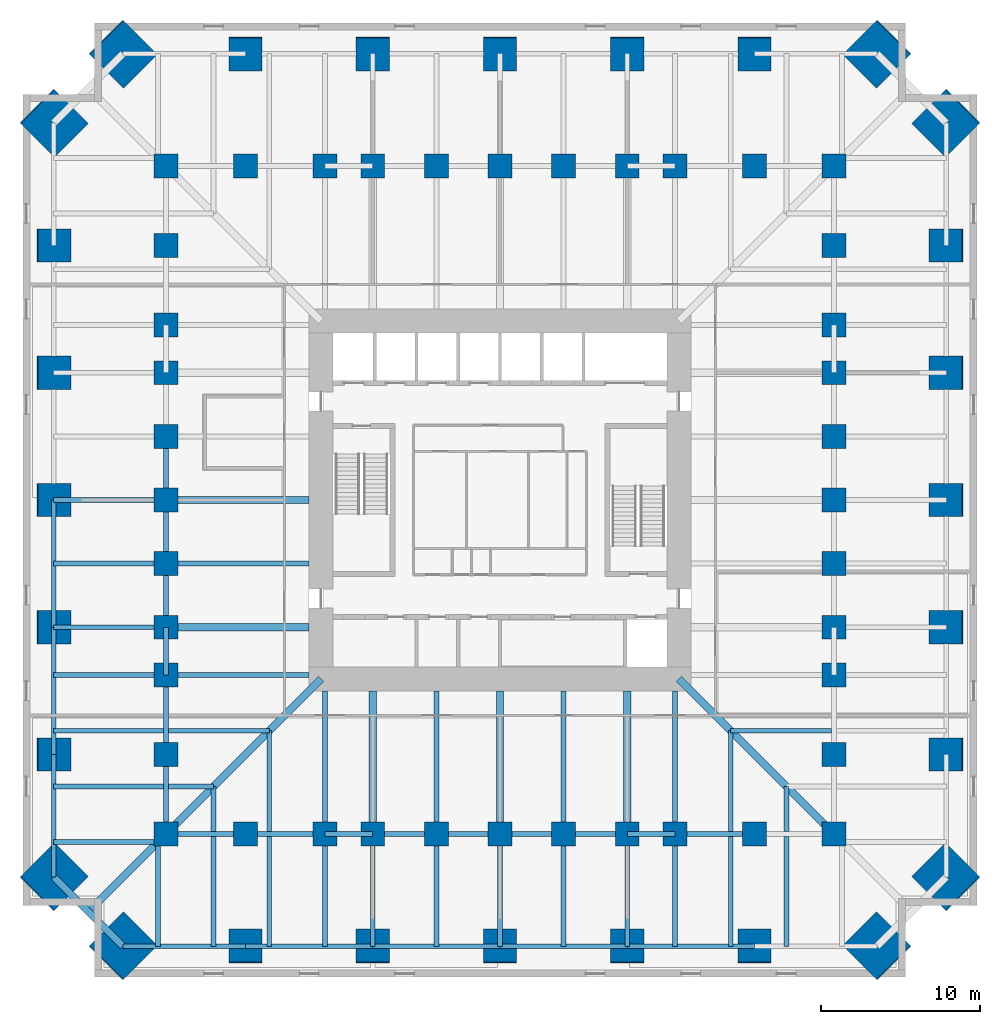
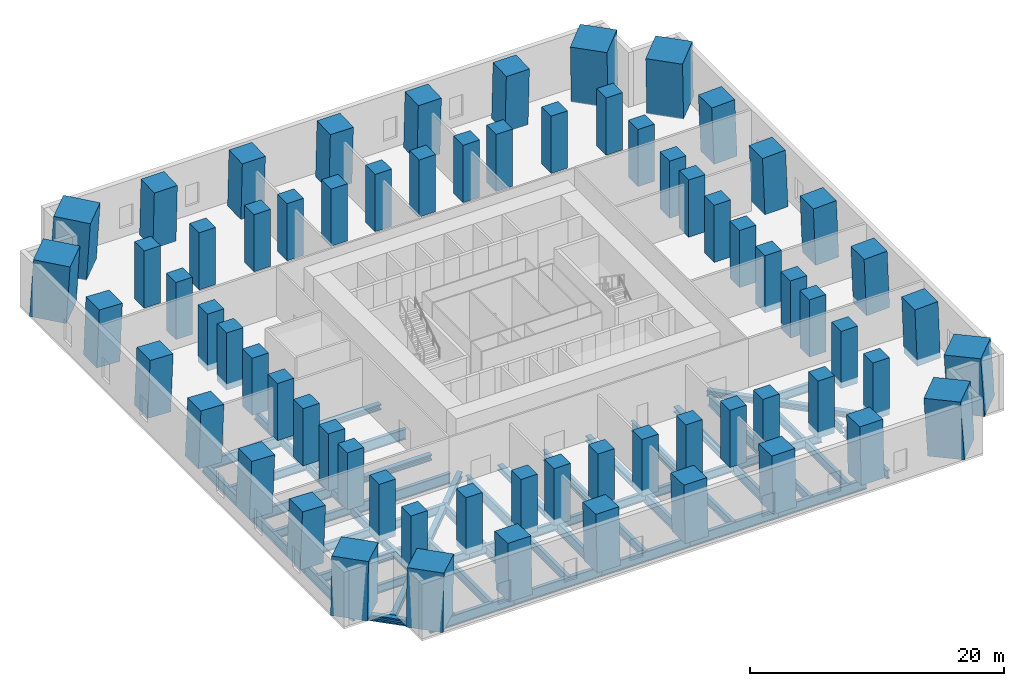
# One storey, part 1 of 8: 68 columns, 64 beams.
"""IFC4 building model written with IfcOpenShell, lengths in metres."""

from ifc_helpers import new_model, si_unit, direction, frame, origin, origin_2d, place, context, subcontext, project, spatial, rectangle, i_section, extrude, material, material_profile, profile_set, type_object, element, save


model = new_model("IFC4")

# Units and contexts
model_context = context("Model", 3, precision=1e-05, world=origin(), true_north=direction((0.0, 1.0)))
body_context = subcontext(model_context, "Body", "Model", "MODEL_VIEW")
ifc_project = project(units=[si_unit("LENGTHUNIT", "METRE"), si_unit("AREAUNIT", "SQUARE_METRE"), si_unit("VOLUMEUNIT", "CUBIC_METRE"), si_unit("PLANEANGLEUNIT", "RADIAN"), si_unit("MASSUNIT", "GRAM", prefix="KILO")], contexts=[model_context])

# Site, building, storey
site_placement = place(None, origin())
site = spatial("IfcSite", under=ifc_project, at=site_placement, CompositionType="ELEMENT")
building_placement = place(site_placement, origin())
building = spatial("IfcBuilding", under=site, at=building_placement, Name="Peilmerk Tower", CompositionType="ELEMENT")
storey_placement = place(building_placement, frame((0.0, 0.0, 70.5)))
storey = spatial("IfcBuildingStorey", under=building, at=storey_placement, Name="L13", CompositionType="ELEMENT", Elevation=70.5)

# Columns
ifc_material_1 = material(Name="Concrete C90/105", Category="concrete")
ifc_material_profile_1 = material_profile(ifc_material_1, rectangle(XDim=3.0, YDim=3.0, at=origin_2d()), Name="RC 3000x3000")
ifc_profile_set_1 = profile_set([ifc_material_profile_1], Name="Concrete C90/105")
column_type_1 = type_object("IfcColumnType", Name="MC1 3000x3000 encased mega column", PredefinedType="COLUMN", material=ifc_profile_set_1)
for number, where, z_axis, x_axis, name in (
    (1, (23.7041015625, 28.053955078125, 0.0), (-0.040284325109, -0.04024000792, 0.998377641433), (0.706717512472, -0.707495835723, 0.0), "Mega column MC1 NE_N L13"),
    (2, (28.053955078125, 23.7041015625, 0.0), (-0.04024000792, -0.040284325109, 0.998377641433), (0.707495835723, -0.706717512472, 0.0), "Mega column MC1 NE_E L13"),
    (3, (28.053955078125, -23.7041015625, 0.0), (-0.04024000792, 0.040284325109, 0.998377641433), (-0.707495835723, -0.706717512472, 0.0), "Mega column MC1 SE_E L13"),
    (4, (23.7041015625, -28.053955078125, 0.0), (-0.040284325109, 0.04024000792, 0.998377641433), (-0.706717512472, -0.707495835723, 0.0), "Mega column MC1 SE_S L13"),
    (5, (-23.7041015625, -28.053955078125, 0.0), (0.040284325109, 0.04024000792, 0.998377641433), (-0.706717512472, 0.707495835723, 0.0), "Mega column MC1 SW_S L13"),
    (6, (-28.053955078125, -23.7041015625, 0.0), (0.04024000792, 0.040284325109, 0.998377641433), (-0.707495835723, 0.706717512472, 0.0), "Mega column MC1 SW_W L13"),
    (7, (-28.053955078125, 23.7041015625, 0.0), (0.04024000792, -0.040284325109, 0.998377641433), (0.707495835723, 0.706717512472, 0.0), "Mega column MC1 NW_W L13"),
    (8, (-23.7041015625, 28.053955078125, 0.0), (0.040284325109, -0.04024000792, 0.998377641433), (0.706717512472, 0.707495835723, 0.0), "Mega column MC1 NW_N L13"),
):
    element("IfcColumn", number, at=place(storey_placement, frame(where, z_axis=z_axis, x_axis=x_axis)), inside=storey, type_object=column_type_1, Name=name, PredefinedType="COLUMN", context=body_context, shape_type="SweptSolid", body=[
        extrude(rectangle(XDim=3.0, YDim=3.0, at=origin_2d()), origin(), (0.0, 0.0, 1.0), 5.509033203125),
    ])
ifc_material_profile_2 = material_profile(ifc_material_1, rectangle(XDim=2.10009765625, YDim=2.10009765625, at=origin_2d()), Name="RC 2100x2100")
ifc_profile_set_2 = profile_set([ifc_material_profile_2], Name="Concrete C90/105")
column_type_2 = type_object("IfcColumnType", Name="SC3 2100x2100 encased perimeter column", PredefinedType="COLUMN", material=ifc_profile_set_2)
for number, where, z_axis, x_axis, name in (
    (9, (0.0, 28.053955078125, 0.0), (0.0, -0.040272698997, 0.999188725775), (1.0, 0.0, 0.0), "Perimeter column N+0 L13"),
    (10, (8.0, 28.053955078125, 0.0), (0.0, -0.040272698997, 0.999188725775), (1.0, 0.0, 0.0), "Perimeter column N-8 L13"),
    (11, (-8.0, 28.053955078125, 0.0), (0.0, -0.040272698997, 0.999188725775), (1.0, 0.0, 0.0), "Perimeter column N+8 L13"),
    (12, (16.0, 28.053955078125, 0.0), (0.0, -0.040272698997, 0.999188725775), (1.0, 0.0, 0.0), "Perimeter column N-16 L13"),
    (13, (-16.0, 28.053955078125, 0.0), (0.0, -0.040272698997, 0.999188725775), (1.0, 0.0, 0.0), "Perimeter column N+16 L13"),
    (14, (28.053955078125, 0.0, 0.0), (-0.040272698997, 0.0, 0.999188725775), (0.0, -1.0, 0.0), "Perimeter column E+0 L13"),
    (15, (28.053955078125, -8.0, 0.0), (-0.040272698997, 0.0, 0.999188725775), (0.0, -1.0, 0.0), "Perimeter column E-8 L13"),
    (16, (28.053955078125, 8.0, 0.0), (-0.040272698997, 0.0, 0.999188725775), (0.0, -1.0, 0.0), "Perimeter column E+8 L13"),
    (17, (28.053955078125, -16.0, 0.0), (-0.040272698997, 0.0, 0.999188725775), (0.0, -1.0, 0.0), "Perimeter column E-16 L13"),
    (18, (28.053955078125, 16.0, 0.0), (-0.040272698997, 0.0, 0.999188725775), (0.0, -1.0, 0.0), "Perimeter column E+16 L13"),
    (19, (0.0, -28.053955078125, 0.0), (0.0, 0.040272698997, 0.999188725775), (-1.0, 0.0, 0.0), "Perimeter column S+0 L13"),
    (20, (-8.0, -28.053955078125, 0.0), (0.0, 0.040272698997, 0.999188725775), (-1.0, 0.0, 0.0), "Perimeter column S-8 L13"),
    (21, (8.0, -28.053955078125, 0.0), (0.0, 0.040272698997, 0.999188725775), (-1.0, 0.0, 0.0), "Perimeter column S+8 L13"),
    (22, (-16.0, -28.053955078125, 0.0), (0.0, 0.040272698997, 0.999188725775), (-1.0, 0.0, 0.0), "Perimeter column S-16 L13"),
    (23, (16.0, -28.053955078125, 0.0), (0.0, 0.040272698997, 0.999188725775), (-1.0, 0.0, 0.0), "Perimeter column S+16 L13"),
    (24, (-28.053955078125, 0.0, 0.0), (0.040272698997, 0.0, 0.999188725775), (0.0, 1.0, 0.0), "Perimeter column W+0 L13"),
    (25, (-28.053955078125, 8.0, 0.0), (0.040272698997, 0.0, 0.999188725775), (0.0, 1.0, 0.0), "Perimeter column W-8 L13"),
    (26, (-28.053955078125, -8.0, 0.0), (0.040272698997, 0.0, 0.999188725775), (0.0, 1.0, 0.0), "Perimeter column W+8 L13"),
    (27, (-28.053955078125, 16.0, 0.0), (0.040272698997, 0.0, 0.999188725775), (0.0, 1.0, 0.0), "Perimeter column W-16 L13"),
    (28, (-28.053955078125, -16.0, 0.0), (0.040272698997, 0.0, 0.999188725775), (0.0, 1.0, 0.0), "Perimeter column W+16 L13"),
):
    element("IfcColumn", number, at=place(storey_placement, frame(where, z_axis=z_axis, x_axis=x_axis)), inside=storey, type_object=column_type_2, Name=name, PredefinedType="COLUMN", context=body_context, shape_type="SweptSolid", body=[
        extrude(rectangle(XDim=2.10009765625, YDim=2.10009765625, at=origin_2d()), origin(), (0.0, 0.0, 1.0), 5.50439453125),
    ])
ifc_material_profile_3 = material_profile(ifc_material_1, rectangle(XDim=1.5, YDim=1.5, at=origin_2d()), Name="RC 1500x1500")
ifc_profile_set_3 = profile_set([ifc_material_profile_3], Name="Concrete C90/105")
column_type_3 = type_object("IfcColumnType", Name="SC4 1500x1500 encased interior column", PredefinedType="COLUMN", material=ifc_profile_set_3)
for number, where, z_axis, x_axis, name in (
    (29, (0.0, 21.0, 0.0), (0.0, 0.0, 1.0), (1.0, 0.0, 0.0), "Interior column N+0 L13"),
    (30, (4.0, 21.0, 0.0), (0.0, 0.0, 1.0), (1.0, 0.0, 0.0), "Interior column N-4 L13"),
    (31, (-4.0, 21.0, 0.0), (0.0, 0.0, 1.0), (1.0, 0.0, 0.0), "Interior column N+4 L13"),
    (32, (8.0, 21.0, 0.0), (0.0, 0.0, 1.0), (1.0, 0.0, 0.0), "Interior column N-8 L13"),
    (33, (-8.0, 21.0, 0.0), (0.0, 0.0, 1.0), (1.0, 0.0, 0.0), "Interior column N+8 L13"),
    (34, (11.0, 21.0, 0.0), (0.0, 0.0, 1.0), (1.0, 0.0, 0.0), "Interior column N-11 L13"),
    (35, (-11.0, 21.0, 0.0), (0.0, 0.0, 1.0), (1.0, 0.0, 0.0), "Interior column N+11 L13"),
    (36, (16.0, 21.0, 0.0), (0.0, 0.0, 1.0), (1.0, 0.0, 0.0), "Interior column N-16 L13"),
    (37, (-16.0, 21.0, 0.0), (0.0, 0.0, 1.0), (1.0, 0.0, 0.0), "Interior column N+16 L13"),
    (38, (21.0, 0.0, 0.0), (0.0, 0.0, 1.0), (1.0, 0.0, 0.0), "Interior column E+0 L13"),
    (39, (21.0, -4.0, 0.0), (0.0, 0.0, 1.0), (1.0, 0.0, 0.0), "Interior column E-4 L13"),
    (40, (21.0, 4.0, 0.0), (0.0, 0.0, 1.0), (1.0, 0.0, 0.0), "Interior column E+4 L13"),
    (41, (21.0, -8.0, 0.0), (0.0, 0.0, 1.0), (1.0, 0.0, 0.0), "Interior column E-8 L13"),
    (42, (21.0, 8.0, 0.0), (0.0, 0.0, 1.0), (1.0, 0.0, 0.0), "Interior column E+8 L13"),
    (43, (21.0, -11.0, 0.0), (0.0, 0.0, 1.0), (1.0, 0.0, 0.0), "Interior column E-11 L13"),
    (44, (21.0, 11.0, 0.0), (0.0, 0.0, 1.0), (1.0, 0.0, 0.0), "Interior column E+11 L13"),
    (45, (21.0, -16.0, 0.0), (0.0, 0.0, 1.0), (1.0, 0.0, 0.0), "Interior column E-16 L13"),
    (46, (21.0, 16.0, 0.0), (0.0, 0.0, 1.0), (1.0, 0.0, 0.0), "Interior column E+16 L13"),
    (47, (0.0, -21.0, 0.0), (0.0, 0.0, 1.0), (1.0, 0.0, 0.0), "Interior column S+0 L13"),
    (48, (-4.0, -21.0, 0.0), (0.0, 0.0, 1.0), (1.0, 0.0, 0.0), "Interior column S-4 L13"),
    (49, (4.0, -21.0, 0.0), (0.0, 0.0, 1.0), (1.0, 0.0, 0.0), "Interior column S+4 L13"),
    (50, (-8.0, -21.0, 0.0), (0.0, 0.0, 1.0), (1.0, 0.0, 0.0), "Interior column S-8 L13"),
    (51, (8.0, -21.0, 0.0), (0.0, 0.0, 1.0), (1.0, 0.0, 0.0), "Interior column S+8 L13"),
    (52, (-11.0, -21.0, 0.0), (0.0, 0.0, 1.0), (1.0, 0.0, 0.0), "Interior column S-11 L13"),
    (53, (11.0, -21.0, 0.0), (0.0, 0.0, 1.0), (1.0, 0.0, 0.0), "Interior column S+11 L13"),
    (54, (-16.0, -21.0, 0.0), (0.0, 0.0, 1.0), (1.0, 0.0, 0.0), "Interior column S-16 L13"),
    (55, (16.0, -21.0, 0.0), (0.0, 0.0, 1.0), (1.0, 0.0, 0.0), "Interior column S+16 L13"),
    (56, (-21.0, 0.0, 0.0), (0.0, 0.0, 1.0), (1.0, 0.0, 0.0), "Interior column W+0 L13"),
    (57, (-21.0, 4.0, 0.0), (0.0, 0.0, 1.0), (1.0, 0.0, 0.0), "Interior column W-4 L13"),
    (58, (-21.0, -4.0, 0.0), (0.0, 0.0, 1.0), (1.0, 0.0, 0.0), "Interior column W+4 L13"),
    (59, (-21.0, 8.0, 0.0), (0.0, 0.0, 1.0), (1.0, 0.0, 0.0), "Interior column W-8 L13"),
    (60, (-21.0, -8.0, 0.0), (0.0, 0.0, 1.0), (1.0, 0.0, 0.0), "Interior column W+8 L13"),
    (61, (-21.0, 11.0, 0.0), (0.0, 0.0, 1.0), (1.0, 0.0, 0.0), "Interior column W-11 L13"),
    (62, (-21.0, -11.0, 0.0), (0.0, 0.0, 1.0), (1.0, 0.0, 0.0), "Interior column W+11 L13"),
    (63, (-21.0, 16.0, 0.0), (0.0, 0.0, 1.0), (1.0, 0.0, 0.0), "Interior column W-16 L13"),
    (64, (-21.0, -16.0, 0.0), (0.0, 0.0, 1.0), (1.0, 0.0, 0.0), "Interior column W+16 L13"),
    (65, (21.0, 21.0, 0.0), (0.0, 0.0, 1.0), (1.0, 0.0, 0.0), "Interior column NE L13"),
    (66, (21.0, -21.0, 0.0), (0.0, 0.0, 1.0), (1.0, 0.0, 0.0), "Interior column SE L13"),
    (67, (-21.0, -21.0, 0.0), (0.0, 0.0, 1.0), (1.0, 0.0, 0.0), "Interior column SW L13"),
    (68, (-21.0, 21.0, 0.0), (0.0, 0.0, 1.0), (1.0, 0.0, 0.0), "Interior column NW L13"),
):
    element("IfcColumn", number, at=place(storey_placement, frame(where, z_axis=z_axis, x_axis=x_axis)), inside=storey, type_object=column_type_3, Name=name, PredefinedType="COLUMN", context=body_context, shape_type="SweptSolid", body=[
        extrude(rectangle(XDim=1.5, YDim=1.5, at=origin_2d()), origin(), (0.0, 0.0, 1.0), 5.5),
    ])

# Beams
ifc_material_2 = material(Name="Steel S355", Category="steel")
ifc_material_profile_4 = material_profile(ifc_material_2, i_section(OverallWidth=0.302001953125, OverallDepth=1.008056640625, WebThickness=0.02099609375, FlangeThickness=0.0400390625, at=origin_2d()), Name="HEM 1000")
ifc_profile_set_4 = profile_set([ifc_material_profile_4], Name="Steel S355")
beam_type_1 = type_object("IfcBeamType", Name="B1 HEM 1000 edge beam", PredefinedType="SPANDREL", material=ifc_profile_set_4)
for number, where, z_axis, x_axis, name in (
    (69, (-23.7041015625, -28.053955078125, -0.7041015625), (1.0, 0.0, 0.0), (0.0, 1.0, 0.0), "Edge beam L13"),
    (70, (-28.053955078125, -16.0, -0.7041015625), (0.0, -1.0, 0.0), (1.0, 0.0, 0.0), "Edge beam L13"),
):
    element("IfcBeam", number, at=place(storey_placement, frame(where, z_axis=z_axis, x_axis=x_axis)), inside=storey, type_object=beam_type_1, Name=name, PredefinedType="SPANDREL", context=body_context, shape_type="SweptSolid", body=[
        extrude(i_section(OverallWidth=0.302001953125, OverallDepth=1.008056640625, WebThickness=0.02099609375, FlangeThickness=0.0400390625, at=origin_2d()), origin(), (0.0, 0.0, 1.0), 7.7041015625),
    ])
ifc_material_profile_5 = material_profile(ifc_material_2, i_section(OverallWidth=0.300048828125, OverallDepth=1.0, WebThickness=0.01904296875, FlangeThickness=0.035888671875, at=origin_2d()), Name="HEB 1000")
ifc_profile_set_5 = profile_set([ifc_material_profile_5], Name="Steel S355")
beam_type_2 = type_object("IfcBeamType", Name="B13 HEB 1000 edge beam", PredefinedType="SPANDREL", material=ifc_profile_set_5)
for number, where, z_axis, x_axis, name in (
    (71, (-16.0, -28.053955078125, -0.699951171875), (1.0, 0.0, 0.0), (0.0, 1.0, 0.0), "Edge beam L13"),
    (72, (-8.0, -28.053955078125, -0.699951171875), (1.0, 0.0, 0.0), (0.0, 1.0, 0.0), "Edge beam L13"),
    (73, (0.0, -28.053955078125, -0.699951171875), (1.0, 0.0, 0.0), (0.0, 1.0, 0.0), "Edge beam L13"),
    (74, (8.0, -28.053955078125, -0.699951171875), (1.0, 0.0, 0.0), (0.0, 1.0, 0.0), "Edge beam L13"),
    (75, (-28.053955078125, 0.0, -0.699951171875), (0.0, -1.0, 0.0), (1.0, 0.0, 0.0), "Edge beam L13"),
    (76, (-28.053955078125, -8.0, -0.699951171875), (0.0, -1.0, 0.0), (1.0, 0.0, 0.0), "Edge beam L13"),
):
    element("IfcBeam", number, at=place(storey_placement, frame(where, z_axis=z_axis, x_axis=x_axis)), inside=storey, type_object=beam_type_2, Name=name, PredefinedType="SPANDREL", context=body_context, shape_type="SweptSolid", body=[
        extrude(i_section(OverallWidth=0.300048828125, OverallDepth=1.0, WebThickness=0.01904296875, FlangeThickness=0.035888671875, at=origin_2d()), origin(), (0.0, 0.0, 1.0), 8.0),
    ])
ifc_material_profile_6 = material_profile(ifc_material_2, i_section(OverallWidth=0.300048828125, OverallDepth=0.989990234375, WebThickness=0.0166015625, FlangeThickness=0.031005859375, at=origin_2d()), Name="HEA 1000")
ifc_profile_set_6 = profile_set([ifc_material_profile_6], Name="Steel S355")
beam_type_3 = type_object("IfcBeamType", Name="B14 HEA 1000 floor girder", PredefinedType="BEAM", material=ifc_profile_set_6)
for number, where, z_axis, x_axis, name in (
    (77, (-8.0, -21.0, -0.695068359375), (0.0, -1.0, 0.0), (1.0, 0.0, 0.0), "Floor girder L13"),
    (78, (0.0, -21.0, -0.695068359375), (0.0, -1.0, 0.0), (1.0, 0.0, 0.0), "Floor girder L13"),
    (79, (8.0, -21.0, -0.695068359375), (0.0, -1.0, 0.0), (1.0, 0.0, 0.0), "Floor girder L13"),
    (80, (-21.0, 0.0, -0.695068359375), (-1.0, 0.0, 0.0), (0.0, -1.0, 0.0), "Floor girder L13"),
    (81, (-21.0, -8.0, -0.695068359375), (-1.0, 0.0, 0.0), (0.0, -1.0, 0.0), "Floor girder L13"),
):
    element("IfcBeam", number, at=place(storey_placement, frame(where, z_axis=z_axis, x_axis=x_axis)), inside=storey, type_object=beam_type_3, Name=name, PredefinedType="BEAM", context=body_context, shape_type="SweptSolid", body=[
        extrude(i_section(OverallWidth=0.300048828125, OverallDepth=0.989990234375, WebThickness=0.0166015625, FlangeThickness=0.031005859375, at=origin_2d()), origin(), (0.0, 0.0, 1.0), 7.053955078125),
    ])
ifc_material_3 = material(Name="Steel S460", Category="steel")
ifc_material_profile_7 = material_profile(ifc_material_3, i_section(OverallWidth=0.4541015625, OverallDepth=0.569091796875, WebThickness=0.077880859375, FlangeThickness=0.125, at=origin_2d()), Name="HD 400x1086")
ifc_profile_set_7 = profile_set([ifc_material_profile_7], Name="Steel S460")
beam_type_4 = type_object("IfcBeamType", Name="B17 HD 400x1086 edge beam", PredefinedType="SPANDREL", material=ifc_profile_set_7)
beam_1_placement = place(storey_placement, frame((-23.7041015625, -28.053955078125, -0.484619140625), z_axis=(-0.707106781187, 0.707106781187, 0.0), x_axis=(-0.707106781187, -0.707106781187, 0.0)))
element("IfcBeam", 82, at=beam_1_placement, inside=storey, type_object=beam_type_4, Name="Notch beam L13", PredefinedType="SPANDREL", context=body_context, shape_type="SweptSolid", body=[
    extrude(i_section(OverallWidth=0.4541015625, OverallDepth=0.569091796875, WebThickness=0.077880859375, FlangeThickness=0.125, at=origin_2d()), origin(), (0.0, 0.0, 1.0), 6.151611328125),
])
ifc_material_profile_8 = material_profile(ifc_material_2, i_section(OverallWidth=0.4541015625, OverallDepth=0.569091796875, WebThickness=0.077880859375, FlangeThickness=0.125, at=origin_2d()), Name="HD 400x1086")
ifc_profile_set_8 = profile_set([ifc_material_profile_8], Name="Steel S355")
beam_type_5 = type_object("IfcBeamType", Name="B22 HD 400x1086 floor girder", PredefinedType="BEAM", material=ifc_profile_set_8)
beam_2_placement = place(storey_placement, frame((-21.0, -21.0, -0.484619140625), z_axis=(-0.707106781187, -0.707106781187, 0.0), x_axis=(0.707106781187, -0.707106781187, 0.0)))
element("IfcBeam", 83, at=beam_2_placement, inside=storey, type_object=beam_type_5, Name="Corner girder L13", PredefinedType="BEAM", context=body_context, shape_type="SweptSolid", body=[
    extrude(i_section(OverallWidth=0.4541015625, OverallDepth=0.569091796875, WebThickness=0.077880859375, FlangeThickness=0.125, at=origin_2d()), origin(), (0.0, 0.0, 1.0), 6.900146484375),
])
ifc_material_profile_9 = material_profile(ifc_material_3, i_section(OverallWidth=0.302978515625, OverallDepth=0.81396484375, WebThickness=0.02099609375, FlangeThickness=0.0400390625, at=origin_2d()), Name="HEM 800")
ifc_profile_set_9 = profile_set([ifc_material_profile_9], Name="Steel S460")
beam_type_6 = type_object("IfcBeamType", Name="B26 HEM 800 floor beam", PredefinedType="BEAM", material=ifc_profile_set_9)
for number, where, z_axis, x_axis, name in (
    (84, (-11.0, -21.0, -0.60693359375), (0.0, -1.0, 0.0), (1.0, 0.0, 0.0), "Floor beam L13"),
    (85, (-4.0, -21.0, -0.60693359375), (0.0, -1.0, 0.0), (1.0, 0.0, 0.0), "Floor beam L13"),
    (86, (4.0, -21.0, -0.60693359375), (0.0, -1.0, 0.0), (1.0, 0.0, 0.0), "Floor beam L13"),
    (87, (11.0, -21.0, -0.60693359375), (0.0, -1.0, 0.0), (1.0, 0.0, 0.0), "Floor beam L13"),
):
    element("IfcBeam", number, at=place(storey_placement, frame(where, z_axis=z_axis, x_axis=x_axis)), inside=storey, type_object=beam_type_6, Name=name, PredefinedType="BEAM", context=body_context, shape_type="SweptSolid", body=[
        extrude(i_section(OverallWidth=0.302978515625, OverallDepth=0.81396484375, WebThickness=0.02099609375, FlangeThickness=0.0400390625, at=origin_2d()), origin(), (0.0, 0.0, 1.0), 7.053955078125),
    ])
for number, where, z_axis, x_axis, name in (
    (88, (-21.0, -21.0, -0.60693359375), (1.0, 0.0, 0.0), (0.0, 1.0, 0.0), "Ring girder L13"),
    (89, (-16.0, -21.0, -0.60693359375), (1.0, 0.0, 0.0), (0.0, 1.0, 0.0), "Ring girder L13"),
):
    element("IfcBeam", number, at=place(storey_placement, frame(where, z_axis=z_axis, x_axis=x_axis)), inside=storey, type_object=beam_type_6, Name=name, PredefinedType="BEAM", context=body_context, shape_type="SweptSolid", body=[
        extrude(i_section(OverallWidth=0.302978515625, OverallDepth=0.81396484375, WebThickness=0.02099609375, FlangeThickness=0.0400390625, at=origin_2d()), origin(), (0.0, 0.0, 1.0), 5.0),
    ])
beam_3_placement = place(storey_placement, frame((-11.0, -21.0, -0.60693359375), z_axis=(1.0, 0.0, 0.0), x_axis=(0.0, 1.0, 0.0)))
element("IfcBeam", 90, at=beam_3_placement, inside=storey, type_object=beam_type_6, Name="Ring girder L13", PredefinedType="BEAM", context=body_context, shape_type="SweptSolid", body=[
    extrude(i_section(OverallWidth=0.302978515625, OverallDepth=0.81396484375, WebThickness=0.02099609375, FlangeThickness=0.0400390625, at=origin_2d()), origin(), (0.0, 0.0, 1.0), 3.0),
])
for number, where, z_axis, x_axis, name in (
    (91, (-8.0, -21.0, -0.60693359375), (1.0, 0.0, 0.0), (0.0, 1.0, 0.0), "Ring girder L13"),
    (92, (-4.0, -21.0, -0.60693359375), (1.0, 0.0, 0.0), (0.0, 1.0, 0.0), "Ring girder L13"),
    (93, (0.0, -21.0, -0.60693359375), (1.0, 0.0, 0.0), (0.0, 1.0, 0.0), "Ring girder L13"),
    (94, (4.0, -21.0, -0.60693359375), (1.0, 0.0, 0.0), (0.0, 1.0, 0.0), "Ring girder L13"),
):
    element("IfcBeam", number, at=place(storey_placement, frame(where, z_axis=z_axis, x_axis=x_axis)), inside=storey, type_object=beam_type_6, Name=name, PredefinedType="BEAM", context=body_context, shape_type="SweptSolid", body=[
        extrude(i_section(OverallWidth=0.302978515625, OverallDepth=0.81396484375, WebThickness=0.02099609375, FlangeThickness=0.0400390625, at=origin_2d()), origin(), (0.0, 0.0, 1.0), 4.0),
    ])
beam_4_placement = place(storey_placement, frame((8.0, -21.0, -0.60693359375), z_axis=(1.0, 0.0, 0.0), x_axis=(0.0, 1.0, 0.0)))
element("IfcBeam", 95, at=beam_4_placement, inside=storey, type_object=beam_type_6, Name="Ring girder L13", PredefinedType="BEAM", context=body_context, shape_type="SweptSolid", body=[
    extrude(i_section(OverallWidth=0.302978515625, OverallDepth=0.81396484375, WebThickness=0.02099609375, FlangeThickness=0.0400390625, at=origin_2d()), origin(), (0.0, 0.0, 1.0), 3.0),
])
beam_5_placement = place(storey_placement, frame((11.0, -21.0, -0.60693359375), z_axis=(1.0, 0.0, 0.0), x_axis=(0.0, 1.0, 0.0)))
element("IfcBeam", 96, at=beam_5_placement, inside=storey, type_object=beam_type_6, Name="Ring girder L13", PredefinedType="BEAM", context=body_context, shape_type="SweptSolid", body=[
    extrude(i_section(OverallWidth=0.302978515625, OverallDepth=0.81396484375, WebThickness=0.02099609375, FlangeThickness=0.0400390625, at=origin_2d()), origin(), (0.0, 0.0, 1.0), 5.0),
])
for number, where, z_axis, x_axis, name in (
    (97, (-21.0, -4.0, -0.60693359375), (-1.0, 0.0, 0.0), (0.0, -1.0, 0.0), "Floor beam L13"),
    (98, (-21.0, -11.0, -0.60693359375), (-1.0, 0.0, 0.0), (0.0, -1.0, 0.0), "Floor beam L13"),
):
    element("IfcBeam", number, at=place(storey_placement, frame(where, z_axis=z_axis, x_axis=x_axis)), inside=storey, type_object=beam_type_6, Name=name, PredefinedType="BEAM", context=body_context, shape_type="SweptSolid", body=[
        extrude(i_section(OverallWidth=0.302978515625, OverallDepth=0.81396484375, WebThickness=0.02099609375, FlangeThickness=0.0400390625, at=origin_2d()), origin(), (0.0, 0.0, 1.0), 7.053955078125),
    ])
for number, where, z_axis, x_axis, name in (
    (99, (-21.0, 4.0, -0.60693359375), (0.0, -1.0, 0.0), (1.0, 0.0, 0.0), "Ring girder L13"),
    (100, (-21.0, 0.0, -0.60693359375), (0.0, -1.0, 0.0), (1.0, 0.0, 0.0), "Ring girder L13"),
    (101, (-21.0, -4.0, -0.60693359375), (0.0, -1.0, 0.0), (1.0, 0.0, 0.0), "Ring girder L13"),
):
    element("IfcBeam", number, at=place(storey_placement, frame(where, z_axis=z_axis, x_axis=x_axis)), inside=storey, type_object=beam_type_6, Name=name, PredefinedType="BEAM", context=body_context, shape_type="SweptSolid", body=[
        extrude(i_section(OverallWidth=0.302978515625, OverallDepth=0.81396484375, WebThickness=0.02099609375, FlangeThickness=0.0400390625, at=origin_2d()), origin(), (0.0, 0.0, 1.0), 4.0),
    ])
beam_6_placement = place(storey_placement, frame((-21.0, -8.0, -0.60693359375), z_axis=(0.0, -1.0, 0.0), x_axis=(1.0, 0.0, 0.0)))
element("IfcBeam", 102, at=beam_6_placement, inside=storey, type_object=beam_type_6, Name="Ring girder L13", PredefinedType="BEAM", context=body_context, shape_type="SweptSolid", body=[
    extrude(i_section(OverallWidth=0.302978515625, OverallDepth=0.81396484375, WebThickness=0.02099609375, FlangeThickness=0.0400390625, at=origin_2d()), origin(), (0.0, 0.0, 1.0), 3.0),
])
for number, where, z_axis, x_axis, name in (
    (103, (-21.0, -11.0, -0.60693359375), (0.0, -1.0, 0.0), (1.0, 0.0, 0.0), "Ring girder L13"),
    (104, (-21.0, -16.0, -0.60693359375), (0.0, -1.0, 0.0), (1.0, 0.0, 0.0), "Ring girder L13"),
):
    element("IfcBeam", number, at=place(storey_placement, frame(where, z_axis=z_axis, x_axis=x_axis)), inside=storey, type_object=beam_type_6, Name=name, PredefinedType="BEAM", context=body_context, shape_type="SweptSolid", body=[
        extrude(i_section(OverallWidth=0.302978515625, OverallDepth=0.81396484375, WebThickness=0.02099609375, FlangeThickness=0.0400390625, at=origin_2d()), origin(), (0.0, 0.0, 1.0), 5.0),
    ])
beam_7_placement = place(storey_placement, frame((14.5, -14.5, -0.60693359375), z_axis=(0.0, -1.0, 0.0), x_axis=(1.0, 0.0, 0.0)))
element("IfcBeam", 105, at=beam_7_placement, inside=storey, type_object=beam_type_6, Name="Floor beam L13", PredefinedType="BEAM", context=body_context, shape_type="SweptSolid", body=[
    extrude(i_section(OverallWidth=0.302978515625, OverallDepth=0.81396484375, WebThickness=0.02099609375, FlangeThickness=0.0400390625, at=origin_2d()), origin(), (0.0, 0.0, 1.0), 6.348388671875),
])
beam_8_placement = place(storey_placement, frame((14.5, -21.151611328125, -0.60693359375), z_axis=(0.0, -1.0, 0.0), x_axis=(1.0, 0.0, 0.0)))
element("IfcBeam", 106, at=beam_8_placement, inside=storey, type_object=beam_type_6, Name="Floor beam L13", PredefinedType="BEAM", context=body_context, shape_type="SweptSolid", body=[
    extrude(i_section(OverallWidth=0.302978515625, OverallDepth=0.81396484375, WebThickness=0.02099609375, FlangeThickness=0.0400390625, at=origin_2d()), origin(), (0.0, 0.0, 1.0), 6.90234375),
])
beam_9_placement = place(storey_placement, frame((14.5, -14.5, -0.60693359375), z_axis=(1.0, 0.0, 0.0), x_axis=(0.0, 1.0, 0.0)))
element("IfcBeam", 107, at=beam_9_placement, inside=storey, type_object=beam_type_6, Name="Floor beam L13", PredefinedType="BEAM", context=body_context, shape_type="SweptSolid", body=[
    extrude(i_section(OverallWidth=0.302978515625, OverallDepth=0.81396484375, WebThickness=0.02099609375, FlangeThickness=0.0400390625, at=origin_2d()), origin(), (0.0, 0.0, 1.0), 6.348388671875),
])
beam_10_placement = place(storey_placement, frame((18.0, -18.0, -0.60693359375), z_axis=(0.0, -1.0, 0.0), x_axis=(1.0, 0.0, 0.0)))
element("IfcBeam", 108, at=beam_10_placement, inside=storey, type_object=beam_type_6, Name="Floor beam L13", PredefinedType="BEAM", context=body_context, shape_type="SweptSolid", body=[
    extrude(i_section(OverallWidth=0.302978515625, OverallDepth=0.81396484375, WebThickness=0.02099609375, FlangeThickness=0.0400390625, at=origin_2d()), origin(), (0.0, 0.0, 1.0), 2.848388671875),
])
beam_11_placement = place(storey_placement, frame((18.0, -21.151611328125, -0.60693359375), z_axis=(0.0, -1.0, 0.0), x_axis=(1.0, 0.0, 0.0)))
element("IfcBeam", 109, at=beam_11_placement, inside=storey, type_object=beam_type_6, Name="Floor beam L13", PredefinedType="BEAM", context=body_context, shape_type="SweptSolid", body=[
    extrude(i_section(OverallWidth=0.302978515625, OverallDepth=0.81396484375, WebThickness=0.02099609375, FlangeThickness=0.0400390625, at=origin_2d()), origin(), (0.0, 0.0, 1.0), 6.90234375),
])
beam_12_placement = place(storey_placement, frame((-14.5, -14.5, -0.60693359375), z_axis=(0.0, -1.0, 0.0), x_axis=(1.0, 0.0, 0.0)))
element("IfcBeam", 110, at=beam_12_placement, inside=storey, type_object=beam_type_6, Name="Floor beam L13", PredefinedType="BEAM", context=body_context, shape_type="SweptSolid", body=[
    extrude(i_section(OverallWidth=0.302978515625, OverallDepth=0.81396484375, WebThickness=0.02099609375, FlangeThickness=0.0400390625, at=origin_2d()), origin(), (0.0, 0.0, 1.0), 6.348388671875),
])
beam_13_placement = place(storey_placement, frame((-14.5, -21.151611328125, -0.60693359375), z_axis=(0.0, -1.0, 0.0), x_axis=(1.0, 0.0, 0.0)))
element("IfcBeam", 111, at=beam_13_placement, inside=storey, type_object=beam_type_6, Name="Floor beam L13", PredefinedType="BEAM", context=body_context, shape_type="SweptSolid", body=[
    extrude(i_section(OverallWidth=0.302978515625, OverallDepth=0.81396484375, WebThickness=0.02099609375, FlangeThickness=0.0400390625, at=origin_2d()), origin(), (0.0, 0.0, 1.0), 6.90234375),
])
beam_14_placement = place(storey_placement, frame((-14.5, -14.5, -0.60693359375), z_axis=(-1.0, 0.0, 0.0), x_axis=(0.0, -1.0, 0.0)))
element("IfcBeam", 112, at=beam_14_placement, inside=storey, type_object=beam_type_6, Name="Floor beam L13", PredefinedType="BEAM", context=body_context, shape_type="SweptSolid", body=[
    extrude(i_section(OverallWidth=0.302978515625, OverallDepth=0.81396484375, WebThickness=0.02099609375, FlangeThickness=0.0400390625, at=origin_2d()), origin(), (0.0, 0.0, 1.0), 6.348388671875),
])
beam_15_placement = place(storey_placement, frame((-21.151611328125, -14.5, -0.60693359375), z_axis=(-1.0, 0.0, 0.0), x_axis=(0.0, -1.0, 0.0)))
element("IfcBeam", 113, at=beam_15_placement, inside=storey, type_object=beam_type_6, Name="Floor beam L13", PredefinedType="BEAM", context=body_context, shape_type="SweptSolid", body=[
    extrude(i_section(OverallWidth=0.302978515625, OverallDepth=0.81396484375, WebThickness=0.02099609375, FlangeThickness=0.0400390625, at=origin_2d()), origin(), (0.0, 0.0, 1.0), 6.90234375),
])
beam_16_placement = place(storey_placement, frame((-18.0, -18.0, -0.60693359375), z_axis=(0.0, -1.0, 0.0), x_axis=(1.0, 0.0, 0.0)))
element("IfcBeam", 114, at=beam_16_placement, inside=storey, type_object=beam_type_6, Name="Floor beam L13", PredefinedType="BEAM", context=body_context, shape_type="SweptSolid", body=[
    extrude(i_section(OverallWidth=0.302978515625, OverallDepth=0.81396484375, WebThickness=0.02099609375, FlangeThickness=0.0400390625, at=origin_2d()), origin(), (0.0, 0.0, 1.0), 2.848388671875),
])
beam_17_placement = place(storey_placement, frame((-18.0, -21.151611328125, -0.60693359375), z_axis=(0.0, -1.0, 0.0), x_axis=(1.0, 0.0, 0.0)))
element("IfcBeam", 115, at=beam_17_placement, inside=storey, type_object=beam_type_6, Name="Floor beam L13", PredefinedType="BEAM", context=body_context, shape_type="SweptSolid", body=[
    extrude(i_section(OverallWidth=0.302978515625, OverallDepth=0.81396484375, WebThickness=0.02099609375, FlangeThickness=0.0400390625, at=origin_2d()), origin(), (0.0, 0.0, 1.0), 6.90234375),
])
beam_18_placement = place(storey_placement, frame((-18.0, -18.0, -0.60693359375), z_axis=(-1.0, 0.0, 0.0), x_axis=(0.0, -1.0, 0.0)))
element("IfcBeam", 116, at=beam_18_placement, inside=storey, type_object=beam_type_6, Name="Floor beam L13", PredefinedType="BEAM", context=body_context, shape_type="SweptSolid", body=[
    extrude(i_section(OverallWidth=0.302978515625, OverallDepth=0.81396484375, WebThickness=0.02099609375, FlangeThickness=0.0400390625, at=origin_2d()), origin(), (0.0, 0.0, 1.0), 2.848388671875),
])
beam_19_placement = place(storey_placement, frame((-21.151611328125, -18.0, -0.60693359375), z_axis=(-1.0, 0.0, 0.0), x_axis=(0.0, -1.0, 0.0)))
element("IfcBeam", 117, at=beam_19_placement, inside=storey, type_object=beam_type_6, Name="Floor beam L13", PredefinedType="BEAM", context=body_context, shape_type="SweptSolid", body=[
    extrude(i_section(OverallWidth=0.302978515625, OverallDepth=0.81396484375, WebThickness=0.02099609375, FlangeThickness=0.0400390625, at=origin_2d()), origin(), (0.0, 0.0, 1.0), 6.90234375),
])
for number, where, z_axis, x_axis, name in (
    (118, (-21.5, -21.5, -0.60693359375), (0.0, -1.0, 0.0), (1.0, 0.0, 0.0), "Floor beam L13"),
    (119, (-21.5, -21.5, -0.60693359375), (-1.0, 0.0, 0.0), (0.0, -1.0, 0.0), "Floor beam L13"),
):
    element("IfcBeam", number, at=place(storey_placement, frame(where, z_axis=z_axis, x_axis=x_axis)), inside=storey, type_object=beam_type_6, Name=name, PredefinedType="BEAM", context=body_context, shape_type="SweptSolid", body=[
        extrude(i_section(OverallWidth=0.302978515625, OverallDepth=0.81396484375, WebThickness=0.02099609375, FlangeThickness=0.0400390625, at=origin_2d()), origin(), (0.0, 0.0, 1.0), 6.553955078125),
    ])
ifc_material_profile_10 = material_profile(ifc_material_2, i_section(OverallWidth=0.300048828125, OverallDepth=1.0, WebThickness=0.01904296875, FlangeThickness=0.035888671875, at=origin_2d()), Name="HEB 1000")
ifc_profile_set_10 = profile_set([ifc_material_profile_10], Name="Steel S355")
beam_type_7 = type_object("IfcBeamType", Name="B5 HEB 1000 floor girder", PredefinedType="BEAM", material=ifc_profile_set_10)
for number, where, z_axis, x_axis, name in (
    (120, (-11.0, -12.0, -0.699951171875), (0.0, -1.0, 0.0), (1.0, 0.0, 0.0), "Floor beam L13"),
    (121, (-4.0, -12.0, -0.699951171875), (0.0, -1.0, 0.0), (1.0, 0.0, 0.0), "Floor beam L13"),
    (122, (4.0, -12.0, -0.699951171875), (0.0, -1.0, 0.0), (1.0, 0.0, 0.0), "Floor beam L13"),
    (123, (11.0, -12.0, -0.699951171875), (0.0, -1.0, 0.0), (1.0, 0.0, 0.0), "Floor beam L13"),
    (124, (-12.0, -4.0, -0.699951171875), (-1.0, 0.0, 0.0), (0.0, -1.0, 0.0), "Floor beam L13"),
    (125, (-12.0, -11.0, -0.699951171875), (-1.0, 0.0, 0.0), (0.0, -1.0, 0.0), "Floor beam L13"),
):
    element("IfcBeam", number, at=place(storey_placement, frame(where, z_axis=z_axis, x_axis=x_axis)), inside=storey, type_object=beam_type_7, Name=name, PredefinedType="BEAM", context=body_context, shape_type="SweptSolid", body=[
        extrude(i_section(OverallWidth=0.300048828125, OverallDepth=1.0, WebThickness=0.01904296875, FlangeThickness=0.035888671875, at=origin_2d()), origin(), (0.0, 0.0, 1.0), 9.0),
    ])
ifc_material_profile_11 = material_profile(ifc_material_3, i_section(OverallWidth=0.4541015625, OverallDepth=0.569091796875, WebThickness=0.077880859375, FlangeThickness=0.125, at=origin_2d()), Name="HD 400x1086")
ifc_profile_set_11 = profile_set([ifc_material_profile_11], Name="Steel S460")
beam_type_8 = type_object("IfcBeamType", Name="B9 HD 400x1086 corner girder", PredefinedType="BEAM", material=ifc_profile_set_11)
for number, where, z_axis, x_axis, name in (
    (126, (-8.0, -12.0, -0.484619140625), (0.0, -1.0, 0.0), (1.0, 0.0, 0.0), "Floor girder L13"),
    (127, (0.0, -12.0, -0.484619140625), (0.0, -1.0, 0.0), (1.0, 0.0, 0.0), "Floor girder L13"),
    (128, (8.0, -12.0, -0.484619140625), (0.0, -1.0, 0.0), (1.0, 0.0, 0.0), "Floor girder L13"),
    (129, (-12.0, 0.0, -0.484619140625), (-1.0, 0.0, 0.0), (0.0, -1.0, 0.0), "Floor girder L13"),
    (130, (-12.0, -8.0, -0.484619140625), (-1.0, 0.0, 0.0), (0.0, -1.0, 0.0), "Floor girder L13"),
):
    element("IfcBeam", number, at=place(storey_placement, frame(where, z_axis=z_axis, x_axis=x_axis)), inside=storey, type_object=beam_type_8, Name=name, PredefinedType="BEAM", context=body_context, shape_type="SweptSolid", body=[
        extrude(i_section(OverallWidth=0.4541015625, OverallDepth=0.569091796875, WebThickness=0.077880859375, FlangeThickness=0.125, at=origin_2d()), origin(), (0.0, 0.0, 1.0), 9.0),
    ])
for number, where, z_axis, x_axis, name in (
    (131, (11.25, -11.25, -0.484619140625), (0.707106781187, -0.707106781187, 0.0), (0.707106781187, 0.707106781187, 0.0), "Corner girder L13"),
    (132, (-11.25, -11.25, -0.484619140625), (-0.707106781187, -0.707106781187, 0.0), (0.707106781187, -0.707106781187, 0.0), "Corner girder L13"),
):
    element("IfcBeam", number, at=place(storey_placement, frame(where, z_axis=z_axis, x_axis=x_axis)), inside=storey, type_object=beam_type_8, Name=name, PredefinedType="BEAM", context=body_context, shape_type="SweptSolid", body=[
        extrude(i_section(OverallWidth=0.4541015625, OverallDepth=0.569091796875, WebThickness=0.077880859375, FlangeThickness=0.125, at=origin_2d()), origin(), (0.0, 0.0, 1.0), 13.78857421875),
    ])

save(model, "model.ifc")
